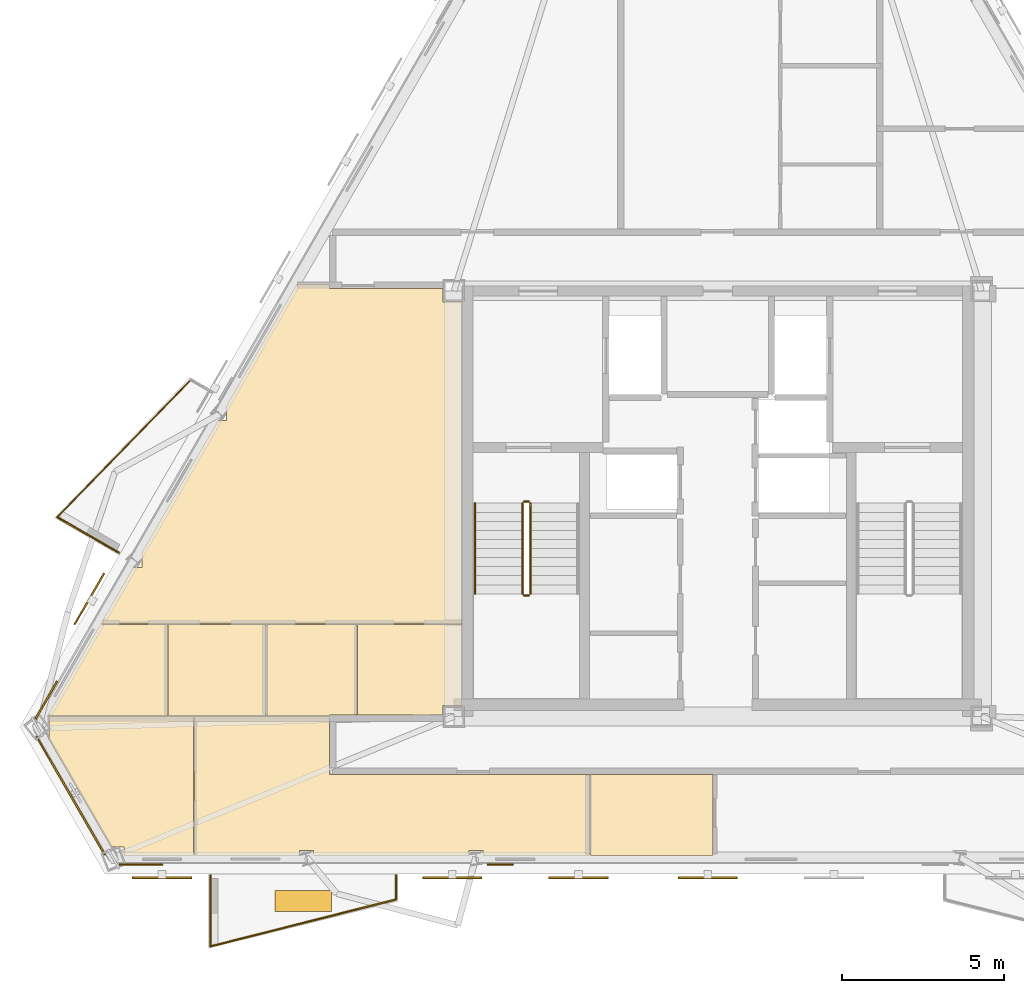
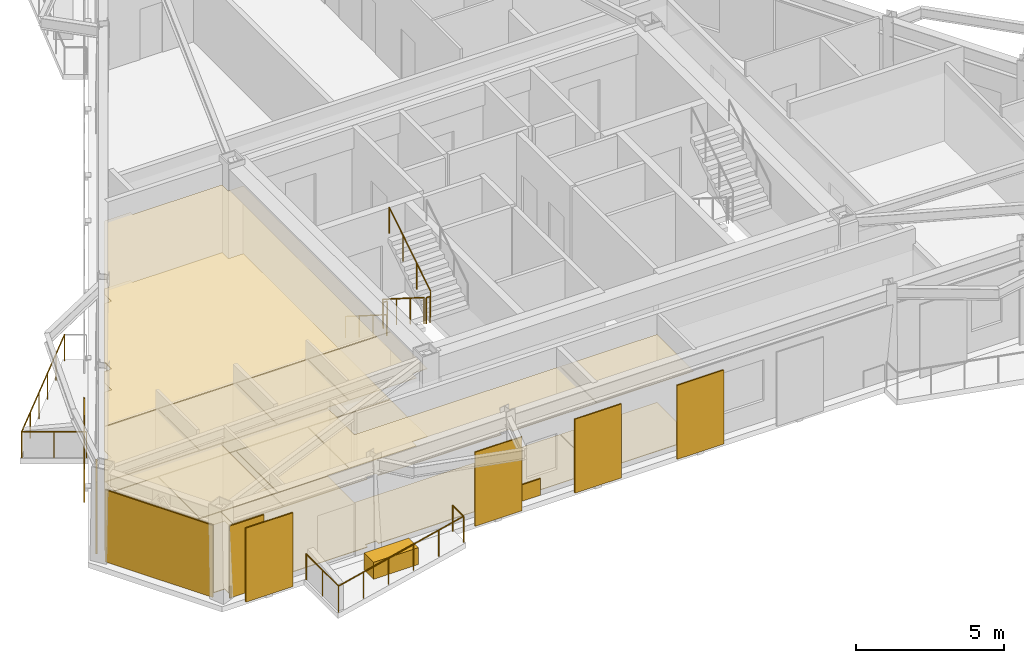
# One storey, part 7 of 9: 21 coverings, 10 railings, 5 shading devices.
"""IFC4 building model written with IfcOpenShell, lengths in metres."""

import ifcopenshell
import ifcopenshell.guid

model = None  # the IFC model being written
_history = None  # IfcOwnerHistory: only IFC2X3 demands one
_inside = {}  # id of a spatial element -> (the spatial element, [elements in it])
_under = {}  # id of a project, library or spatial element -> (it, [spatial elements below it])
_declared = {}  # id of a project -> (the project, [libraries it declares])
_typed = {}  # id of a type object -> (the type object, [elements of that type])
_made_of = {}  # id of a material, layer set ... -> (it, [elements and type objects made of it])


def new_model(schema):
    """Start an empty IFC model of exactly this schema.

    Asked for "IFC4X3", IfcOpenShell would pick the latest addendum, in which some entities
    have other attributes; the version numbers below select the first issue.
    IFC2X3 requires an IfcOwnerHistory on every rooted entity: one is made here for all.
    """
    global model, _history
    if schema == "IFC4X3":
        model = ifcopenshell.file(schema_version=(4, 3, 0, 0))
    else:
        model = ifcopenshell.file(schema=schema)
    _inside.clear()
    _under.clear()
    _declared.clear()
    _typed.clear()
    _made_of.clear()
    _history = None
    if model.schema == "IFC2X3":
        org = make("IfcOrganization", Name="unknown")
        user = make(
            "IfcPersonAndOrganization",
            ThePerson=make("IfcPerson", FamilyName="unknown"),
            TheOrganization=org,
        )
        app = make(
            "IfcApplication",
            ApplicationDeveloper=org,
            Version="unknown",
            ApplicationFullName="unknown",
            ApplicationIdentifier="unknown",
        )
        _history = make(
            "IfcOwnerHistory",
            OwningUser=user,
            OwningApplication=app,
            ChangeAction="ADDED",
            CreationDate=0,
        )
    return model


def make(cls, **values):
    """One entity of the class cls with the attributes given. An attribute that is None is left unset."""
    return model.create_entity(
        cls, **{name: value for name, value in values.items() if value is not None}
    )


def rooted(cls, **values):
    """An entity with a GlobalId (a new one), such as an element, a storey or a relation."""
    return make(cls, GlobalId=ifcopenshell.guid.new(), OwnerHistory=_history, **values)


def si_unit(unit_type, name, prefix=None):
    """IfcSIUnit, for example si_unit("LENGTHUNIT", "METRE", prefix="MILLI")."""
    return make("IfcSIUnit", UnitType=unit_type, Prefix=prefix, Name=name)


def assignment(units):
    """IfcUnitAssignment: the units of a project."""
    return None if units is None else make("IfcUnitAssignment", Units=units)


def point(xyz):
    """IfcCartesianPoint."""
    return None if xyz is None else make("IfcCartesianPoint", Coordinates=xyz)


def direction(xyz):
    """IfcDirection."""
    return None if xyz is None else make("IfcDirection", DirectionRatios=xyz)


def frame(location, z_axis=None, x_axis=None):
    """IfcAxis2Placement3D, a coordinate frame: its origin and axes. An axis left out is left unset."""
    return make(
        "IfcAxis2Placement3D",
        Location=point(location),
        Axis=direction(z_axis),
        RefDirection=direction(x_axis),
    )


def frame_2d(location, x_axis=None):
    """IfcAxis2Placement2D, a coordinate frame in the plane: its origin and x axis."""
    return make(
        "IfcAxis2Placement2D", Location=point(location), RefDirection=direction(x_axis)
    )


def origin():
    """The frame at (0, 0, 0) with its axes left unset."""
    return frame((0.0, 0.0, 0.0))


def origin_2d():
    """The frame at (0, 0) in the plane with its x axis left unset."""
    return frame_2d((0.0, 0.0))


def place(relative_to, where):
    """IfcLocalPlacement: puts the frame where relative to a parent placement (None: the world)."""
    return make(
        "IfcLocalPlacement", PlacementRelTo=relative_to, RelativePlacement=where
    )


def context(
    kind, dimensions, precision=None, world=None, true_north=None, identifier=None
):
    """IfcGeometricRepresentationContext, for example the 3D "Model" context."""
    return make(
        "IfcGeometricRepresentationContext",
        ContextIdentifier=identifier,
        ContextType=kind,
        CoordinateSpaceDimension=dimensions,
        Precision=precision,
        WorldCoordinateSystem=world,
        TrueNorth=true_north,
    )


def subcontext(parent, identifier, kind, view, scale=None):
    """IfcGeometricRepresentationSubContext, for example "Body" below "Model"."""
    return make(
        "IfcGeometricRepresentationSubContext",
        ContextIdentifier=identifier,
        ContextType=kind,
        ParentContext=parent,
        TargetScale=scale,
        TargetView=view,
    )


def project(units=None, contexts=None):
    """IfcProject with its units and contexts."""
    return rooted(
        "IfcProject",
        Name="project",
        RepresentationContexts=contexts,
        UnitsInContext=assignment(units),
    )


def spatial(cls, under=None, at=None, **own):
    """A site, building, storey or space (cls), placed at a placement, below another one or the project."""
    s = rooted(cls, ObjectPlacement=at, **own)
    if under is not None:
        _under.setdefault(under.id(), (under, []))[1].append(s)
    return s


def polyline(points):
    """IfcPolyline through the points."""
    return make("IfcPolyline", Points=[point(p) for p in points])


def profile(cls, at=None, kind="AREA", **sizes):
    """A parametric profile (cls). Its sizes go by their IFC names, for example OverallWidth=200.0."""
    return make(cls, ProfileType=kind, Position=at, **sizes)


def rectangle(**sizes):
    """IfcRectangleProfileDef."""
    return profile("IfcRectangleProfileDef", **sizes)


def circle(**sizes):
    """IfcCircleProfileDef."""
    return profile("IfcCircleProfileDef", **sizes)


def outline(outer, holes=None, kind="AREA"):
    """IfcArbitraryClosedProfileDef: a profile drawn as a closed curve; with holes, ...WithVoids."""
    if holes is None:
        return make("IfcArbitraryClosedProfileDef", ProfileType=kind, OuterCurve=outer)
    return make(
        "IfcArbitraryProfileDefWithVoids",
        ProfileType=kind,
        OuterCurve=outer,
        InnerCurves=holes,
    )


def extrude(swept, where, along, depth):
    """IfcExtrudedAreaSolid: the profile swept, set in the frame where, extruded along a direction by depth."""
    return make(
        "IfcExtrudedAreaSolid",
        SweptArea=swept,
        Position=where,
        ExtrudedDirection=direction(along),
        Depth=depth,
    )


def shape(context_of_items, identifier, shape_type, items):
    """IfcShapeRepresentation: the items that make up one representation, for example the "Body"."""
    return make(
        "IfcShapeRepresentation",
        ContextOfItems=context_of_items,
        RepresentationIdentifier=identifier,
        RepresentationType=shape_type,
        Items=items,
    )


def material(Name=None, Category=None):
    """IfcMaterial."""
    return make("IfcMaterial", Name=Name, Category=Category)


def layer(
    of_material, thickness, ventilated=None, Name=None, Category=None, Priority=None
):
    """IfcMaterialLayer: one layer of a wall or slab, of a material (None: an air gap)."""
    return make(
        "IfcMaterialLayer",
        Material=of_material,
        LayerThickness=thickness,
        IsVentilated=ventilated,
        Name=Name,
        Category=Category,
        Priority=Priority,
    )


def layer_set(layers, Name=None):
    """IfcMaterialLayerSet."""
    return make("IfcMaterialLayerSet", MaterialLayers=layers, LayerSetName=Name)


def made_of(thing, what):
    """Note that an element or type object is made of a material, layer set ...; save() writes the relation."""
    if what is not None:
        _made_of.setdefault(what.id(), (what, []))[1].append(thing)
    return thing


def type_object(cls, material=None, **own):
    """A type object (cls), such as IfcWallType, which elements share."""
    return made_of(rooted(cls, **own), material)


def element(
    cls,
    number,
    at=None,
    inside=None,
    cuts=None,
    type_object=None,
    material=None,
    context=None,
    identifier="Body",
    shape_type=None,
    held_by="IfcProductDefinitionShape",
    body=None,
    shapes=None,
    **own,
):
    """One element of the class cls, such as IfcWall. Its Tag is "e" and its number.

    at: its placement. inside: the storey or other place that contains it. cuts: it is an
    opening in that element (IfcRelVoidsElement). A single representation is given by context,
    identifier, shape_type and body (its items); several are given by shapes. held_by: the class
    of the entity that holds the representations. save() writes the other relations.
    """
    e = rooted(cls, Tag="e%d" % number, ObjectPlacement=at, **own)
    if body is not None:
        shapes = [shape(context, identifier, shape_type, body)]
    if shapes is not None:
        e.Representation = make(held_by, Representations=shapes)
    if inside is not None:
        _inside.setdefault(inside.id(), (inside, []))[1].append(e)
    if cuts is not None:
        rooted(
            "IfcRelVoidsElement", RelatingBuildingElement=cuts, RelatedOpeningElement=e
        )
    if type_object is not None:
        _typed.setdefault(type_object.id(), (type_object, []))[1].append(e)
    return made_of(e, material)


def aggregate(whole, parts):
    """IfcRelAggregates: a whole, such as a stair, and the parts it consists of."""
    return rooted("IfcRelAggregates", RelatingObject=whole, RelatedObjects=parts)


def save(model, path):
    """Write the relations noted so far, then the file.

    IfcRelAggregates (storeys below a building ...), IfcRelContainedInSpatialStructure (elements
    in a storey), IfcRelDefinesByType, IfcRelAssociatesMaterial and IfcRelDeclares: one each for
    every whole, place, type object, material and project.
    """
    for whole, parts in _under.values():
        aggregate(whole, parts)
    for where, things in _inside.values():
        rooted(
            "IfcRelContainedInSpatialStructure",
            RelatedElements=things,
            RelatingStructure=where,
        )
    for kind, things in _typed.values():
        rooted("IfcRelDefinesByType", RelatedObjects=things, RelatingType=kind)
    for what, things in _made_of.values():
        rooted("IfcRelAssociatesMaterial", RelatedObjects=things, RelatingMaterial=what)
    for by, libraries in _declared.values():
        rooted("IfcRelDeclares", RelatingContext=by, RelatedDefinitions=libraries)
    model.write(path)


model = new_model("IFC4")

# Units and contexts
model_context = context("Model", 3, precision=1e-05, world=origin(), true_north=direction((0.0, 1.0)))
body_context = subcontext(model_context, "Body", "Model", "MODEL_VIEW")
ifc_project = project(units=[si_unit("LENGTHUNIT", "METRE"), si_unit("AREAUNIT", "SQUARE_METRE"), si_unit("VOLUMEUNIT", "CUBIC_METRE"), si_unit("PLANEANGLEUNIT", "RADIAN"), si_unit("MASSUNIT", "GRAM", prefix="KILO")], contexts=[model_context])

# Site, building, storey
site_placement = place(None, origin())
site = spatial("IfcSite", under=ifc_project, at=site_placement, CompositionType="ELEMENT")
building_placement = place(site_placement, origin())
building = spatial("IfcBuilding", under=site, at=building_placement, Name="Oramaril Tower", CompositionType="ELEMENT")
storey_placement = place(building_placement, frame((0.0, 0.0, 273.300048828125)))
storey = spatial("IfcBuildingStorey", under=building, at=storey_placement, Name="L72", CompositionType="ELEMENT", Elevation=273.300048828125)

# Coverings
ifc_material_1 = material(Name="Mineral Fibre Acoustic Ceiling")
ifc_layer_1 = layer(ifc_material_1, 0.02001953125)
ifc_layer_set_1 = layer_set([ifc_layer_1], Name="CVT-CEIL")
covering_type_1 = type_object("IfcCoveringType", Name="CVT-CEIL", PredefinedType="CEILING", material=ifc_layer_set_1)
covering_1_placement = place(storey_placement, frame((0.0, 0.0, 2.81201171875)))
element("IfcCovering", 1, at=covering_1_placement, inside=storey, type_object=covering_type_1, Name="L72 Acoustic Suspended Ceiling 4", PredefinedType="CEILING", context=body_context, shape_type="SweptSolid", body=[
    extrude(outline(polyline([(33.5419921875, 6.7021484375), (30.23779296875, 6.7021484375), (30.23779296875, 6.859619140625), (29.815673828125, 6.859619140625), (29.815673828125, 6.7021484375), (25.010009765625, 6.7021484375), (25.010009765625, 6.859619140625), (24.5810546875, 6.859619140625), (24.5810546875, 6.7021484375), (21.319580078125, 6.7021484375), (21.319580078125, 10.991943359375), (25.5, 10.991943359375), (25.5, 9.219970703125), (25.5, 9.218017578125), (25.50048828125, 9.216064453125), (25.5009765625, 9.214111328125), (25.50146484375, 9.21240234375), (25.50244140625, 9.210693359375), (25.50341796875, 9.208984375), (25.50439453125, 9.207275390625), (25.505859375, 9.205810546875), (25.50732421875, 9.20458984375), (25.5087890625, 9.203369140625), (25.510498046875, 9.202392578125), (25.51220703125, 9.201416015625), (25.51416015625, 9.200927734375), (25.51611328125, 9.200439453125), (25.51806640625, 9.2001953125), (25.52001953125, 9.199951171875), (33.5419921875, 9.199951171875), (33.5419921875, 6.7021484375)])), origin(), (0.0, 0.0, 1.0), 0.02001953125),
])
covering_2_placement = place(storey_placement, frame((0.0, 0.0, 2.81201171875)))
element("IfcCovering", 2, at=covering_2_placement, inside=storey, type_object=covering_type_1, Name="L72 Acoustic Suspended Ceiling 5", PredefinedType="CEILING", context=body_context, shape_type="SweptSolid", body=[
    extrude(outline(polyline([(19.148681640625, 6.7021484375), (19.148681640625, 6.97314453125), (18.734619140625, 6.97314453125), (16.805908203125, 10.3134765625), (16.827392578125, 10.3134765625), (16.827392578125, 10.991943359375), (21.299560546875, 10.991943359375), (21.299560546875, 6.7021484375), (19.148681640625, 6.7021484375)])), origin(), (0.0, 0.0, 1.0), 0.02001953125),
])
covering_3_placement = place(storey_placement, frame((0.0, 0.0, 2.81201171875)))
element("IfcCovering", 3, at=covering_3_placement, inside=storey, type_object=covering_type_1, Name="L72 Acoustic Suspended Ceiling 7", PredefinedType="CEILING", context=body_context, shape_type="SweptSolid", body=[
    extrude(outline(polyline([(33.56201171875, 6.7021484375), (33.56201171875, 9.199951171875), (37.343994140625, 9.199951171875), (37.343994140625, 6.7021484375), (33.56201171875, 6.7021484375)])), origin(), (0.0, 0.0, 1.0), 0.02001953125),
])
covering_4_placement = place(storey_placement, frame((0.0, 0.0, 2.81201171875)))
element("IfcCovering", 4, at=covering_4_placement, inside=storey, type_object=covering_type_1, Name="L72 Acoustic Suspended Ceiling 8", PredefinedType="CEILING", context=body_context, shape_type="SweptSolid", body=[
    extrude(outline(polyline([(19.435791015625, 15.607666015625), (19.705078125, 15.607666015625), (19.705078125, 16.06396484375), (19.69921875, 16.06396484375), (22.052978515625, 20.140869140625), (22.322265625, 20.140869140625), (22.322265625, 20.591552734375), (22.313232421875, 20.591552734375), (24.489990234375, 24.362060546875), (25.5, 24.362060546875), (25.5, 24.239990234375), (25.5, 24.238037109375), (25.50048828125, 24.236083984375), (25.5009765625, 24.234130859375), (25.50146484375, 24.232421875), (25.50244140625, 24.230712890625), (25.50341796875, 24.22900390625), (25.50439453125, 24.227294921875), (25.505859375, 24.225830078125), (25.50732421875, 24.224609375), (25.5087890625, 24.223388671875), (25.510498046875, 24.222412109375), (25.51220703125, 24.221435546875), (25.51416015625, 24.220947265625), (25.51611328125, 24.220458984375), (25.51806640625, 24.22021484375), (25.52001953125, 24.219970703125), (29.0048828125, 24.219970703125), (29.0048828125, 23.804931640625), (29.60009765625, 23.804931640625), (29.60009765625, 13.85791015625), (18.425537109375, 13.85791015625), (19.435791015625, 15.607666015625)])), origin(), (0.0, 0.0, 1.0), 0.02001953125),
])
covering_5_placement = place(storey_placement, frame((0.0, 0.0, 2.81201171875)))
element("IfcCovering", 5, at=covering_5_placement, inside=storey, type_object=covering_type_1, Name="L72 Acoustic Suspended Ceiling 9", PredefinedType="CEILING", context=body_context, shape_type="SweptSolid", body=[
    extrude(outline(polyline([(20.49169921875, 11.011962890625), (16.827392578125, 11.011962890625), (16.825439453125, 11.011962890625), (16.823486328125, 11.01171875), (16.821533203125, 11.010986328125), (16.819580078125, 11.010498046875), (16.818115234375, 11.009521484375), (16.81640625, 11.008544921875), (16.814697265625, 11.007568359375), (16.813232421875, 11.006103515625), (16.81201171875, 11.004638671875), (16.810791015625, 11.003173828125), (16.810791015625, 11.0029296875), (16.77734375, 11.0029296875), (18.415771484375, 13.8408203125), (18.416015625, 13.84033203125), (18.41796875, 13.839599609375), (18.419677734375, 13.8388671875), (18.421630859375, 13.83837890625), (18.423583984375, 13.838134765625), (18.425537109375, 13.837890625), (20.49169921875, 13.837890625), (20.49169921875, 11.011962890625)])), origin(), (0.0, 0.0, 1.0), 0.02001953125),
])
covering_6_placement = place(storey_placement, frame((0.0, 0.0, 2.81201171875)))
element("IfcCovering", 6, at=covering_6_placement, inside=storey, type_object=covering_type_1, Name="L72 Acoustic Suspended Ceiling 10", PredefinedType="CEILING", context=body_context, shape_type="SweptSolid", body=[
    extrude(outline(polyline([(23.541748046875, 11.011962890625), (21.319580078125, 11.011962890625), (21.317626953125, 11.011962890625), (21.315673828125, 11.01171875), (21.313720703125, 11.010986328125), (21.31201171875, 11.010498046875), (21.310302734375, 11.009521484375), (21.3095703125, 11.00927734375), (21.30908203125, 11.009521484375), (21.307373046875, 11.010498046875), (21.305419921875, 11.010986328125), (21.303466796875, 11.01171875), (21.301513671875, 11.011962890625), (21.299560546875, 11.011962890625), (20.51171875, 11.011962890625), (20.51171875, 13.837890625), (23.541748046875, 13.837890625), (23.541748046875, 11.011962890625)])), origin(), (0.0, 0.0, 1.0), 0.02001953125),
])
covering_7_placement = place(storey_placement, frame((0.0, 0.0, 2.81201171875)))
element("IfcCovering", 7, at=covering_7_placement, inside=storey, type_object=covering_type_1, Name="L72 Acoustic Suspended Ceiling 11", PredefinedType="CEILING", context=body_context, shape_type="SweptSolid", body=[
    extrude(outline(polyline([(26.352294921875, 11.050048828125), (25.52001953125, 11.050048828125), (25.51806640625, 11.0498046875), (25.51611328125, 11.049560546875), (25.51416015625, 11.049072265625), (25.51220703125, 11.048583984375), (25.510498046875, 11.047607421875), (25.5087890625, 11.046630859375), (25.50732421875, 11.04541015625), (25.505859375, 11.044189453125), (25.50439453125, 11.042724609375), (25.50341796875, 11.041015625), (25.50244140625, 11.039306640625), (25.50146484375, 11.03759765625), (25.5009765625, 11.035888671875), (25.50048828125, 11.033935546875), (25.5, 11.031982421875), (25.5, 11.030029296875), (25.5, 11.011962890625), (23.561767578125, 11.011962890625), (23.561767578125, 13.837890625), (26.352294921875, 13.837890625), (26.352294921875, 11.050048828125)])), origin(), (0.0, 0.0, 1.0), 0.02001953125),
])
covering_8_placement = place(storey_placement, frame((0.0, 0.0, 2.81201171875)))
element("IfcCovering", 8, at=covering_8_placement, inside=storey, type_object=covering_type_1, Name="L72 Acoustic Suspended Ceiling 12", PredefinedType="CEILING", context=body_context, shape_type="SweptSolid", body=[
    extrude(outline(polyline([(29.60009765625, 11.344970703125), (29.0048828125, 11.344970703125), (29.0048828125, 11.050048828125), (26.372314453125, 11.050048828125), (26.372314453125, 13.837890625), (29.60009765625, 13.837890625), (29.60009765625, 11.344970703125)])), origin(), (0.0, 0.0, 1.0), 0.02001953125),
])
ifc_material_2 = material(Name="Warm Cream Limestone", Category="masonry")
ifc_layer_2 = layer(ifc_material_2, 0.050048828125)
ifc_layer_set_2 = layer_set([ifc_layer_2], Name="CVT-CLD")
covering_type_2 = type_object("IfcCoveringType", Name="CVT-CLD", PredefinedType="CLADDING", material=ifc_layer_set_2)
covering_9_placement = place(storey_placement, frame((17.502685546875, 8.5546875, 0.0400390625), z_axis=(0.0, 0.0, 1.0), x_axis=(0.499995465495, -0.866028021766, 0.0)))
element("IfcCovering", 9, at=covering_9_placement, inside=storey, type_object=covering_type_2, Name="L72 Warm Cream Limestone Cladding", PredefinedType="CLADDING", context=body_context, shape_type="SweptSolid", body=[
    extrude(rectangle(XDim=4.221435546875, YDim=0.050048828125, at=origin_2d()), origin(), (0.0, 0.0, 1.0), 2.97802734375),
])
covering_10_placement = place(storey_placement, frame((19.6787109375, 6.426025390625, 0.0400390625), z_axis=(0.0, 0.0, 1.0), x_axis=(1.0, 0.0, 0.0)))
element("IfcCovering", 10, at=covering_10_placement, inside=storey, type_object=covering_type_2, Name="L72 Warm Cream Limestone Cladding", PredefinedType="CLADDING", context=body_context, shape_type="SweptSolid", body=[
    extrude(rectangle(XDim=1.35009765625, YDim=0.050048828125, at=origin_2d()), origin(), (0.0, 0.0, 1.0), 2.97802734375),
])
covering_11_placement = place(storey_placement, frame((30.7783203125, 6.426025390625, 0.0400390625), z_axis=(0.0, 0.0, 1.0), x_axis=(1.0, 0.0, 0.0)))
element("IfcCovering", 11, at=covering_11_placement, inside=storey, type_object=covering_type_2, Name="L72 Warm Cream Limestone Spandrel Cladding", PredefinedType="CLADDING", context=body_context, shape_type="SweptSolid", body=[
    extrude(rectangle(XDim=0.800048828125, YDim=0.050048828125, at=origin_2d()), origin(), (0.0, 0.0, 1.0), 0.679931640625),
])
covering_12_placement = place(storey_placement, frame((16.747314453125, 11.503173828125, 0.0400390625), z_axis=(0.0, 0.0, 1.0), x_axis=(-0.4999984885, -0.866026276448, 0.0)))
element("IfcCovering", 12, at=covering_12_placement, inside=storey, type_object=covering_type_2, Name="L72 Warm Cream Limestone Cladding", PredefinedType="CLADDING", context=body_context, shape_type="SweptSolid", body=[
    extrude(rectangle(XDim=1.35009765625, YDim=0.050048828125, at=origin_2d()), origin(), (0.0, 0.0, 1.0), 2.97802734375),
])
covering_13_placement = place(storey_placement, frame((24.68798828125, 5.297607421875, 0.0), z_axis=(0.0, 0.0, 1.0), x_axis=(1.0, 0.0, 0.0)))
element("IfcCovering", 13, at=covering_13_placement, inside=storey, type_object=covering_type_2, Name="L72 Structural Tree Planter Box L72-BAL-S1", PredefinedType="CLADDING", context=body_context, shape_type="SweptSolid", body=[
    extrude(rectangle(XDim=1.75, YDim=0.64990234375, at=origin_2d()), origin(), (0.0, 0.0, 1.0), 0.699951171875),
])
ifc_material_3 = material(Name="Honed Quartzite Stone Flooring", Category="masonry")
ifc_layer_3 = layer(ifc_material_3, 0.02490234375)
ifc_layer_set_3 = layer_set([ifc_layer_3], Name="CVT-FLR")
covering_type_3 = type_object("IfcCoveringType", Name="CVT-FLR", PredefinedType="FLOORING", material=ifc_layer_set_3)
covering_14_placement = place(storey_placement, origin())
element("IfcCovering", 14, at=covering_14_placement, inside=storey, type_object=covering_type_3, Name="L72 Honed Stone Floor Finish 4", PredefinedType="FLOORING", context=body_context, shape_type="SweptSolid", body=[
    extrude(outline(polyline([(33.5419921875, 6.7021484375), (30.23779296875, 6.7021484375), (30.23779296875, 6.859619140625), (29.815673828125, 6.859619140625), (29.815673828125, 6.7021484375), (25.010009765625, 6.7021484375), (25.010009765625, 6.859619140625), (24.5810546875, 6.859619140625), (24.5810546875, 6.7021484375), (21.319580078125, 6.7021484375), (21.319580078125, 10.991943359375), (25.5, 10.991943359375), (25.5, 9.219970703125), (25.5, 9.218017578125), (25.50048828125, 9.216064453125), (25.5009765625, 9.214111328125), (25.50146484375, 9.21240234375), (25.50244140625, 9.210693359375), (25.50341796875, 9.208984375), (25.50439453125, 9.207275390625), (25.505859375, 9.205810546875), (25.50732421875, 9.20458984375), (25.5087890625, 9.203369140625), (25.510498046875, 9.202392578125), (25.51220703125, 9.201416015625), (25.51416015625, 9.200927734375), (25.51611328125, 9.200439453125), (25.51806640625, 9.2001953125), (25.52001953125, 9.199951171875), (33.5419921875, 9.199951171875), (33.5419921875, 6.7021484375)])), origin(), (0.0, 0.0, 1.0), 0.02490234375),
])
covering_15_placement = place(storey_placement, origin())
element("IfcCovering", 15, at=covering_15_placement, inside=storey, type_object=covering_type_3, Name="L72 Honed Stone Floor Finish 5", PredefinedType="FLOORING", context=body_context, shape_type="SweptSolid", body=[
    extrude(outline(polyline([(19.148681640625, 6.7021484375), (19.148681640625, 6.97314453125), (18.734619140625, 6.97314453125), (16.805908203125, 10.3134765625), (16.827392578125, 10.3134765625), (16.827392578125, 10.991943359375), (21.299560546875, 10.991943359375), (21.299560546875, 6.7021484375), (19.148681640625, 6.7021484375)])), origin(), (0.0, 0.0, 1.0), 0.02490234375),
])
covering_16_placement = place(storey_placement, origin())
element("IfcCovering", 16, at=covering_16_placement, inside=storey, type_object=covering_type_3, Name="L72 Honed Stone Floor Finish 7", PredefinedType="FLOORING", context=body_context, shape_type="SweptSolid", body=[
    extrude(outline(polyline([(33.56201171875, 6.7021484375), (33.56201171875, 9.199951171875), (37.343994140625, 9.199951171875), (37.343994140625, 6.7021484375), (33.56201171875, 6.7021484375)])), origin(), (0.0, 0.0, 1.0), 0.02490234375),
])
covering_17_placement = place(storey_placement, origin())
element("IfcCovering", 17, at=covering_17_placement, inside=storey, type_object=covering_type_3, Name="L72 Honed Stone Floor Finish 8", PredefinedType="FLOORING", context=body_context, shape_type="SweptSolid", body=[
    extrude(outline(polyline([(19.435791015625, 15.607666015625), (19.705078125, 15.607666015625), (19.705078125, 16.06396484375), (19.69921875, 16.06396484375), (22.052978515625, 20.140869140625), (22.322265625, 20.140869140625), (22.322265625, 20.591552734375), (22.313232421875, 20.591552734375), (24.489990234375, 24.362060546875), (25.5, 24.362060546875), (25.5, 24.239990234375), (25.5, 24.238037109375), (25.50048828125, 24.236083984375), (25.5009765625, 24.234130859375), (25.50146484375, 24.232421875), (25.50244140625, 24.230712890625), (25.50341796875, 24.22900390625), (25.50439453125, 24.227294921875), (25.505859375, 24.225830078125), (25.50732421875, 24.224609375), (25.5087890625, 24.223388671875), (25.510498046875, 24.222412109375), (25.51220703125, 24.221435546875), (25.51416015625, 24.220947265625), (25.51611328125, 24.220458984375), (25.51806640625, 24.22021484375), (25.52001953125, 24.219970703125), (29.0048828125, 24.219970703125), (29.0048828125, 23.804931640625), (29.60009765625, 23.804931640625), (29.60009765625, 13.85791015625), (18.425537109375, 13.85791015625), (19.435791015625, 15.607666015625)])), origin(), (0.0, 0.0, 1.0), 0.02490234375),
])
covering_18_placement = place(storey_placement, origin())
element("IfcCovering", 18, at=covering_18_placement, inside=storey, type_object=covering_type_3, Name="L72 Honed Stone Floor Finish 9", PredefinedType="FLOORING", context=body_context, shape_type="SweptSolid", body=[
    extrude(outline(polyline([(20.49169921875, 11.011962890625), (16.827392578125, 11.011962890625), (16.825439453125, 11.011962890625), (16.823486328125, 11.01171875), (16.821533203125, 11.010986328125), (16.819580078125, 11.010498046875), (16.818115234375, 11.009521484375), (16.81640625, 11.008544921875), (16.814697265625, 11.007568359375), (16.813232421875, 11.006103515625), (16.81201171875, 11.004638671875), (16.810791015625, 11.003173828125), (16.810791015625, 11.0029296875), (16.77734375, 11.0029296875), (18.415771484375, 13.8408203125), (18.416015625, 13.84033203125), (18.41796875, 13.839599609375), (18.419677734375, 13.8388671875), (18.421630859375, 13.83837890625), (18.423583984375, 13.838134765625), (18.425537109375, 13.837890625), (20.49169921875, 13.837890625), (20.49169921875, 11.011962890625)])), origin(), (0.0, 0.0, 1.0), 0.02490234375),
])
covering_19_placement = place(storey_placement, origin())
element("IfcCovering", 19, at=covering_19_placement, inside=storey, type_object=covering_type_3, Name="L72 Honed Stone Floor Finish 10", PredefinedType="FLOORING", context=body_context, shape_type="SweptSolid", body=[
    extrude(outline(polyline([(23.541748046875, 11.011962890625), (21.319580078125, 11.011962890625), (21.317626953125, 11.011962890625), (21.315673828125, 11.01171875), (21.313720703125, 11.010986328125), (21.31201171875, 11.010498046875), (21.310302734375, 11.009521484375), (21.3095703125, 11.00927734375), (21.30908203125, 11.009521484375), (21.307373046875, 11.010498046875), (21.305419921875, 11.010986328125), (21.303466796875, 11.01171875), (21.301513671875, 11.011962890625), (21.299560546875, 11.011962890625), (20.51171875, 11.011962890625), (20.51171875, 13.837890625), (23.541748046875, 13.837890625), (23.541748046875, 11.011962890625)])), origin(), (0.0, 0.0, 1.0), 0.02490234375),
])
covering_20_placement = place(storey_placement, origin())
element("IfcCovering", 20, at=covering_20_placement, inside=storey, type_object=covering_type_3, Name="L72 Honed Stone Floor Finish 11", PredefinedType="FLOORING", context=body_context, shape_type="SweptSolid", body=[
    extrude(outline(polyline([(26.352294921875, 11.050048828125), (25.52001953125, 11.050048828125), (25.51806640625, 11.0498046875), (25.51611328125, 11.049560546875), (25.51416015625, 11.049072265625), (25.51220703125, 11.048583984375), (25.510498046875, 11.047607421875), (25.5087890625, 11.046630859375), (25.50732421875, 11.04541015625), (25.505859375, 11.044189453125), (25.50439453125, 11.042724609375), (25.50341796875, 11.041015625), (25.50244140625, 11.039306640625), (25.50146484375, 11.03759765625), (25.5009765625, 11.035888671875), (25.50048828125, 11.033935546875), (25.5, 11.031982421875), (25.5, 11.030029296875), (25.5, 11.011962890625), (23.561767578125, 11.011962890625), (23.561767578125, 13.837890625), (26.352294921875, 13.837890625), (26.352294921875, 11.050048828125)])), origin(), (0.0, 0.0, 1.0), 0.02490234375),
])
covering_21_placement = place(storey_placement, origin())
element("IfcCovering", 21, at=covering_21_placement, inside=storey, type_object=covering_type_3, Name="L72 Honed Stone Floor Finish 12", PredefinedType="FLOORING", context=body_context, shape_type="SweptSolid", body=[
    extrude(outline(polyline([(29.60009765625, 11.344970703125), (29.0048828125, 11.344970703125), (29.0048828125, 11.050048828125), (26.372314453125, 11.050048828125), (26.372314453125, 13.837890625), (29.60009765625, 13.837890625), (29.60009765625, 11.344970703125)])), origin(), (0.0, 0.0, 1.0), 0.02490234375),
])

# Railings
ifc_material_4 = material(Name="Stainless Steel 316L", Category="steel")
railing_type_1 = type_object("IfcRailingType", Name="RLT-GRD", PredefinedType="GUARDRAIL", material=ifc_material_4)
railing_1_placement = place(storey_placement, frame((27.552978515625, 6.086181640625, 0.0)))
element("IfcRailing", 22, at=railing_1_placement, inside=storey, type_object=railing_type_1, Name="L72 Balcony Guardrail L72-BAL-S1.1", PredefinedType="GUARDRAIL", context=body_context, shape_type="SweptSolid", body=[
    extrude(circle(Radius=0.02392578125, at=origin_2d()), frame((0.0, 0.0, 1.076171875), z_axis=(0.0, -1.0, 0.0), x_axis=(1.0, 0.0, 0.0)), (0.0, 0.0, 1.0), 0.7421875),
    extrude(circle(Radius=0.02099609375, at=origin_2d()), origin(), (0.0, 0.0, 1.0), 1.052001953125),
    extrude(circle(Radius=0.02099609375, at=origin_2d()), frame((0.0, -0.7421875, 0.0)), (0.0, 0.0, 1.0), 1.052001953125),
])
railing_2_placement = place(storey_placement, frame((27.552978515625, 5.343994140625, 0.0)))
element("IfcRailing", 23, at=railing_2_placement, inside=storey, type_object=railing_type_1, Name="L72 Balcony Guardrail L72-BAL-S1.2", PredefinedType="GUARDRAIL", context=body_context, shape_type="SweptSolid", body=[
    extrude(circle(Radius=0.02392578125, at=origin_2d()), frame((0.0, 0.0, 1.076171875), z_axis=(-0.969443611257, -0.245314256807, 0.0), x_axis=(0.245314256807, -0.969443611257, 0.0)), (0.0, 0.0, 1.0), 5.91064453125),
    extrude(circle(Radius=0.02099609375, at=origin_2d()), origin(), (0.0, 0.0, 1.0), 1.052001953125),
    extrude(circle(Radius=0.02099609375, at=origin_2d()), frame((-1.14599609375, -0.2900390625, 0.0)), (0.0, 0.0, 1.0), 1.052001953125),
    extrude(circle(Radius=0.02099609375, at=origin_2d()), frame((-2.2919921875, -0.580078125, 0.0)), (0.0, 0.0, 1.0), 1.052001953125),
    extrude(circle(Radius=0.02099609375, at=origin_2d()), frame((-3.43798828125, -0.869873046875, 0.0)), (0.0, 0.0, 1.0), 1.052001953125),
    extrude(circle(Radius=0.02099609375, at=origin_2d()), frame((-4.583984375, -1.159912109375, 0.0)), (0.0, 0.0, 1.0), 1.052001953125),
    extrude(circle(Radius=0.02099609375, at=origin_2d()), frame((-5.72998046875, -1.449951171875, 0.0)), (0.0, 0.0, 1.0), 1.052001953125),
])
railing_3_placement = place(storey_placement, frame((21.822998046875, 3.89404296875, 0.0)))
element("IfcRailing", 24, at=railing_3_placement, inside=storey, type_object=railing_type_1, Name="L72 Balcony Guardrail L72-BAL-S1.3", PredefinedType="GUARDRAIL", context=body_context, shape_type="SweptSolid", body=[
    extrude(circle(Radius=0.02392578125, at=origin_2d()), frame((0.0, 0.0, 1.076171875), z_axis=(0.0, 1.0, 0.0), x_axis=(-1.0, 0.0, 0.0)), (0.0, 0.0, 1.0), 2.192138671875),
    extrude(circle(Radius=0.02099609375, at=origin_2d()), origin(), (0.0, 0.0, 1.0), 1.052001953125),
    extrude(circle(Radius=0.02099609375, at=origin_2d()), frame((0.0, 1.09619140625, 0.0)), (0.0, 0.0, 1.0), 1.052001953125),
    extrude(circle(Radius=0.02099609375, at=origin_2d()), frame((0.0, 2.192138671875, 0.0)), (0.0, 0.0, 1.0), 1.052001953125),
])
railing_4_placement = place(storey_placement, frame((18.987548828125, 16.0634765625, 0.0)))
element("IfcRailing", 25, at=railing_4_placement, inside=storey, type_object=railing_type_1, Name="L72 Balcony Guardrail L72-BAL-NW2.1", PredefinedType="GUARDRAIL", context=body_context, shape_type="SweptSolid", body=[
    extrude(circle(Radius=0.02392578125, at=origin_2d()), frame((0.0, 0.0, 1.076171875), z_axis=(-0.866020500697, 0.5000084923, 0.0), x_axis=(-0.5000084923, -0.866020500697, 0.0)), (0.0, 0.0, 1.0), 2.19189453125),
    extrude(circle(Radius=0.02099609375, at=origin_2d()), origin(), (0.0, 0.0, 1.0), 1.052001953125),
    extrude(circle(Radius=0.02099609375, at=origin_2d()), frame((-0.94921875, 0.5478515625, 0.0)), (0.0, 0.0, 1.0), 1.052001953125),
    extrude(circle(Radius=0.02099609375, at=origin_2d()), frame((-1.898193359375, 1.095947265625, 0.0)), (0.0, 0.0, 1.0), 1.052001953125),
])
railing_5_placement = place(storey_placement, frame((17.08935546875, 17.159423828125, 0.0)))
element("IfcRailing", 26, at=railing_5_placement, inside=storey, type_object=railing_type_1, Name="L72 Balcony Guardrail L72-BAL-NW2.2", PredefinedType="GUARDRAIL", context=body_context, shape_type="SweptSolid", body=[
    extrude(circle(Radius=0.02392578125, at=origin_2d()), frame((0.0, 0.0, 1.076171875), z_axis=(0.697186915353, 0.716889395277, 0.0), x_axis=(-0.716889395277, 0.697186915353, 0.0)), (0.0, 0.0, 1.0), 5.91064453125),
    extrude(circle(Radius=0.02099609375, at=origin_2d()), origin(), (0.0, 0.0, 1.0), 1.052001953125),
    extrude(circle(Radius=0.02099609375, at=origin_2d()), frame((0.82421875, 0.847412109375, 0.0)), (0.0, 0.0, 1.0), 1.052001953125),
    extrude(circle(Radius=0.02099609375, at=origin_2d()), frame((1.6484375, 1.69482421875, 0.0)), (0.0, 0.0, 1.0), 1.052001953125),
    extrude(circle(Radius=0.02099609375, at=origin_2d()), frame((2.472412109375, 2.54248046875, 0.0)), (0.0, 0.0, 1.0), 1.052001953125),
    extrude(circle(Radius=0.02099609375, at=origin_2d()), frame((3.296630859375, 3.389892578125, 0.0)), (0.0, 0.0, 1.0), 1.052001953125),
    extrude(circle(Radius=0.02099609375, at=origin_2d()), frame((4.120849609375, 4.2373046875, 0.0)), (0.0, 0.0, 1.0), 1.052001953125),
])
railing_6_placement = place(storey_placement, frame((31.4599609375, 17.590087890625, 0.17724609375)))
element("IfcRailing", 27, at=railing_6_placement, inside=storey, type_object=railing_type_1, Name="L72 ST-1 stair guard 1", PredefinedType="GUARDRAIL", context=body_context, shape_type="SweptSolid", body=[
    extrude(circle(Radius=0.02392578125, at=origin_2d()), frame((0.0, 0.0, 1.076171875), z_axis=(0.0, -0.844908973607, 0.534910110503), x_axis=(1.0, 0.0, 0.0)), (0.0, 0.0, 1.0), 3.31396484375),
    extrude(circle(Radius=0.02099609375, at=origin_2d()), origin(), (0.0, 0.0, 1.0), 1.052001953125),
    extrude(circle(Radius=0.02099609375, at=origin_2d()), frame((0.0, -0.933349609375, 0.5908203125)), (0.0, 0.0, 1.0), 1.052001953125),
    extrude(circle(Radius=0.02099609375, at=origin_2d()), frame((0.0, -1.86669921875, 1.181884765625)), (0.0, 0.0, 1.0), 1.052001953125),
    extrude(circle(Radius=0.02099609375, at=origin_2d()), frame((0.0, -2.800048828125, 1.772705078125)), (0.0, 0.0, 1.0), 1.052001953125),
])
railing_7_placement = place(storey_placement, frame((31.510009765625, 14.739990234375, 1.949951171875)))
element("IfcRailing", 28, at=railing_7_placement, inside=storey, type_object=railing_type_1, Name="L72 ST-1 stair guard 2", PredefinedType="GUARDRAIL", context=body_context, shape_type="SweptSolid", body=[
    extrude(circle(Radius=0.02392578125, at=origin_2d()), frame((0.0, 0.0, 1.076171875), z_axis=(1.0, 0.0, 0.0), x_axis=(0.0, 1.0, 0.0)), (0.0, 0.0, 1.0), 0.14990234375),
    extrude(circle(Radius=0.02099609375, at=origin_2d()), origin(), (0.0, 0.0, 1.0), 1.052001953125),
    extrude(circle(Radius=0.02099609375, at=origin_2d()), frame((0.14990234375, 0.0, 0.0)), (0.0, 0.0, 1.0), 1.052001953125),
])
railing_8_placement = place(storey_placement, frame((31.7099609375, 14.7900390625, 2.127197265625)))
element("IfcRailing", 29, at=railing_8_placement, inside=storey, type_object=railing_type_1, Name="L72 ST-1 stair guard 3", PredefinedType="GUARDRAIL", context=body_context, shape_type="SweptSolid", body=[
    extrude(circle(Radius=0.02392578125, at=origin_2d()), frame((0.0, 0.0, 1.076171875), z_axis=(0.0, 0.844908973607, 0.534910110503), x_axis=(-1.0, 0.0, 0.0)), (0.0, 0.0, 1.0), 3.31396484375),
    extrude(circle(Radius=0.02099609375, at=origin_2d()), origin(), (0.0, 0.0, 1.0), 1.052001953125),
    extrude(circle(Radius=0.02099609375, at=origin_2d()), frame((0.0, 0.933349609375, 0.5908203125)), (0.0, 0.0, 1.0), 1.052001953125),
    extrude(circle(Radius=0.02099609375, at=origin_2d()), frame((0.0, 1.86669921875, 1.181884765625)), (0.0, 0.0, 1.0), 1.052001953125),
    extrude(circle(Radius=0.02099609375, at=origin_2d()), frame((0.0, 2.800048828125, 1.772705078125)), (0.0, 0.0, 1.0), 1.052001953125),
])
railing_9_placement = place(storey_placement, frame((31.510009765625, 17.639892578125, 0.0)))
element("IfcRailing", 30, at=railing_9_placement, inside=storey, type_object=railing_type_1, Name="L72 ST-1 stair guard 4", PredefinedType="GUARDRAIL", context=body_context, shape_type="SweptSolid", body=[
    extrude(circle(Radius=0.02392578125, at=origin_2d()), frame((0.0, 0.0, 1.076171875), z_axis=(1.0, 0.0, 0.0), x_axis=(0.0, 1.0, 0.0)), (0.0, 0.0, 1.0), 0.14990234375),
    extrude(circle(Radius=0.02099609375, at=origin_2d()), origin(), (0.0, 0.0, 1.0), 1.052001953125),
    extrude(circle(Radius=0.02099609375, at=origin_2d()), frame((0.14990234375, 0.0, 0.0)), (0.0, 0.0, 1.0), 1.052001953125),
])
ifc_material_5 = material(Name="Stainless Steel 316L", Category="steel")
railing_type_2 = type_object("IfcRailingType", Name="RLT-HND", PredefinedType="HANDRAIL", material=ifc_material_5)
railing_10_placement = place(storey_placement, frame((30.0, 17.590087890625, 0.17724609375)))
element("IfcRailing", 31, at=railing_10_placement, inside=storey, type_object=railing_type_2, Name="L72 ST-1 stair handrail 1", PredefinedType="HANDRAIL", context=body_context, shape_type="SweptSolid", body=[
    extrude(circle(Radius=0.02392578125, at=origin_2d()), frame((0.0, 0.0, 0.8759765625), z_axis=(0.0, -0.844908973607, 0.534910110503), x_axis=(1.0, 0.0, 0.0)), (0.0, 0.0, 1.0), 3.31396484375),
    extrude(circle(Radius=0.02099609375, at=origin_2d()), origin(), (0.0, 0.0, 1.0), 0.851806640625),
    extrude(circle(Radius=0.02099609375, at=origin_2d()), frame((0.0, -0.933349609375, 0.5908203125)), (0.0, 0.0, 1.0), 0.851806640625),
    extrude(circle(Radius=0.02099609375, at=origin_2d()), frame((0.0, -1.86669921875, 1.181884765625)), (0.0, 0.0, 1.0), 0.851806640625),
    extrude(circle(Radius=0.02099609375, at=origin_2d()), frame((0.0, -2.800048828125, 1.772705078125)), (0.0, 0.0, 1.0), 0.851806640625),
])

# Shading devices
for number, where, z_axis, x_axis, name in (
    (32, (29.29150390625, 6.01416015625, -0.02001953125), (0.0, 0.0, 1.0), (1.0, 0.0, 0.0), "L72 Perforated Ceramic Solar Screen"),
    (33, (33.19140625, 6.01416015625, -0.02001953125), (0.0, 0.0, 1.0), (1.0, 0.0, 0.0), "L72 Perforated Ceramic Solar Screen"),
    (34, (20.32568359375, 6.01416015625, -0.02001953125), (0.0, 0.0, 1.0), (1.0, 0.0, 0.0), "L72 Perforated Ceramic Solar Screen"),
    (35, (37.19091796875, 6.01416015625, -0.02001953125), (0.0, 0.0, 1.0), (1.0, 0.0, 0.0), "L72 Perforated Ceramic Solar Screen"),
    (36, (18.0791015625, 14.633544921875, -0.02001953125), (0.0, 0.0, 1.0), (-0.4999984885, -0.866026276448, 0.0), "L72 Perforated Ceramic Solar Screen"),
):
    element("IfcShadingDevice", number, at=place(storey_placement, frame(where, z_axis=z_axis, x_axis=x_axis)), inside=storey, Name=name, ObjectType="SCREEN", PredefinedType="USERDEFINED", context=body_context, shape_type="SweptSolid", body=[
        extrude(rectangle(XDim=1.8330078125, YDim=0.050048828125, at=origin_2d()), origin(), (0.0, 0.0, 1.0), 3.05810546875),
    ])

save(model, "model.ifc")
